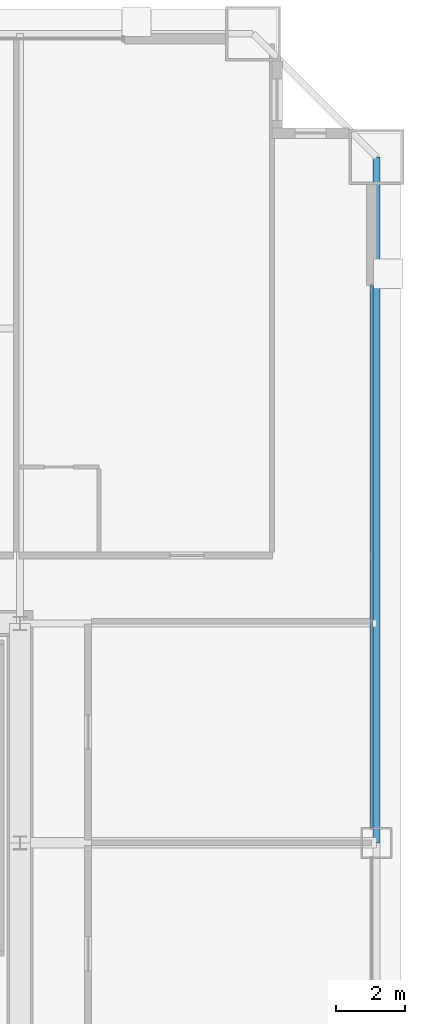
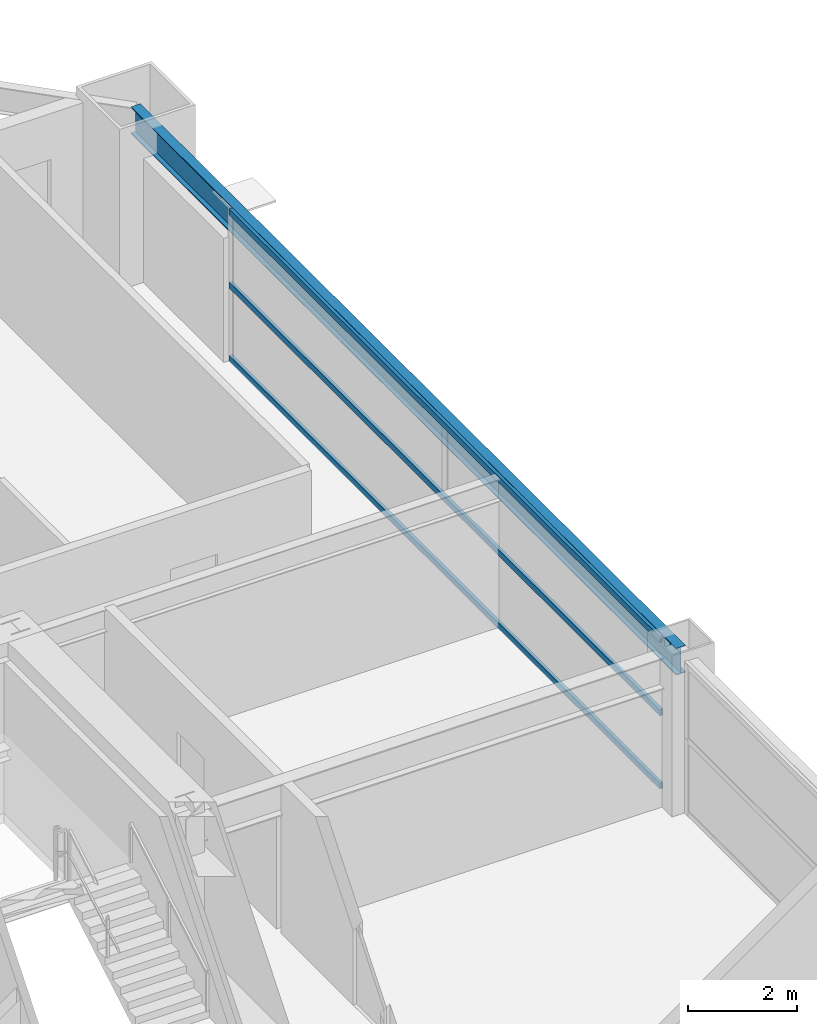
# One storey, part 30 of 39: 3 members, 1 beam, 1 element without a shape of its own.
"""IFC4 building model written with IfcOpenShell, lengths in metres."""

from ifc_helpers import new_model, si_unit, direction, frame, origin, origin_2d, place, context, subcontext, project, spatial, hollow_rectangle, i_section, extrude, source, transform, mapped, material, layer, layer_set, material_profile, profile_set, type_object, element, aggregate, save


model = new_model("IFC4")

# Units and contexts
model_context = context("Model", 3, precision=1e-05, world=origin(), true_north=direction((0.0, 1.0)))
body_context = subcontext(model_context, "Body", "Model", "MODEL_VIEW")
ifc_project = project(units=[si_unit("LENGTHUNIT", "METRE"), si_unit("AREAUNIT", "SQUARE_METRE"), si_unit("VOLUMEUNIT", "CUBIC_METRE"), si_unit("PLANEANGLEUNIT", "RADIAN"), si_unit("MASSUNIT", "GRAM", prefix="KILO"), si_unit("THERMODYNAMICTEMPERATUREUNIT", "KELVIN"), si_unit("POWERUNIT", "WATT")], contexts=[model_context])

# Site, building, storey
site_placement = place(None, origin())
site = spatial("IfcSite", under=ifc_project, at=site_placement, CompositionType="ELEMENT")
building_placement = place(site_placement, origin())
building = spatial("IfcBuilding", under=site, at=building_placement, Name="Yuzanri Waterfront Tower", CompositionType="ELEMENT")
storey_placement = place(building_placement, frame((0.0, 0.0, 156.0)))
storey = spatial("IfcBuildingStorey", under=building, at=storey_placement, Name="L41", CompositionType="ELEMENT", Elevation=156.0)

# Beam
ifc_material_1 = material(Name="Steel Q355B", Category="steel")
ifc_material_profile_1 = material_profile(ifc_material_1, i_section(OverallWidth=0.199951171875, OverallDepth=0.60009765625, WebThickness=0.010986328125, FlangeThickness=0.01708984375, at=origin_2d()), Name="HN 600x200x11x17")
ifc_profile_set_1 = profile_set([ifc_material_profile_1], Name="Steel Q355B")
beam_type = type_object("IfcBeamType", Name="Perimeter Spandrel Q355B HN 600x200", PredefinedType="SPANDREL", material=ifc_profile_set_1)
shared_shape_1 = source(origin(), body_context, "Body", "SweptSolid", [
    extrude(i_section(OverallWidth=0.199951171875, OverallDepth=0.60009765625, WebThickness=0.010986328125, FlangeThickness=0.01708984375, at=origin_2d()), origin(), (0.0, 0.0, 1.0), 20.0),
])
beam_placement = place(storey_placement, frame((60.60009765625, 25.800048828125, 3.080078125), z_axis=(0.0, 1.0, 0.0), x_axis=(-1.0, 0.0, 0.0)))
element("IfcBeam", 1, at=beam_placement, inside=storey, type_object=beam_type, Name="L41 Perimeter Spandrel E2-E3", PredefinedType="SPANDREL", context=body_context, shape_type="MappedRepresentation", body=[
    mapped(shared_shape_1, transform((0.0, 0.0, 0.0), scale=1.0)),
])

# Curtain wall, members
ifc_material_2 = material(Name="Anodized Architectural Bronze", Category="metal")
ifc_layer = layer(ifc_material_2, 0.159912109375)
ifc_layer_set = layer_set([ifc_layer], Name="Anodized Architectural Bronze")
curtain_wall_type = type_object("IfcCurtainWallType", Name="Anodized Bronze Hotel Upper-Tier Solar-Control Unitized Curtain Wall 7800", PredefinedType="NOTDEFINED", material=ifc_layer_set)
curtain_wall_placement = place(storey_placement, origin())
curtain_wall = element("IfcCurtainWall", 2, at=curtain_wall_placement, inside=storey, type_object=curtain_wall_type, Name="L41 Curtain Wall CW-L41-ER", PredefinedType="NOTDEFINED")
ifc_material_3 = material(Name="Anodized Architectural Bronze", Category="metal")
ifc_material_profile_2 = material_profile(ifc_material_3, hollow_rectangle(XDim=0.070068359375, YDim=0.135009765625, WallThickness=0.00341796875, at=origin_2d()), Name="CWT 70x135")
ifc_profile_set_2 = profile_set([ifc_material_profile_2], Name="Anodized Architectural Bronze")
member_type = type_object("IfcMemberType", Name="Anodized Bronze Standard Curtain-Wall Transom 70x135", PredefinedType="USERDEFINED", material=ifc_profile_set_2)
shared_shape_2 = source(origin(), body_context, "Body", "SweptSolid", [
    extrude(hollow_rectangle(XDim=0.070068359375, YDim=0.135009765625, WallThickness=0.00341796875, at=origin_2d()), origin(), (0.0, 0.0, 1.0), 15.800048828125),
])
member_1_placement = place(storey_placement, frame((60.449951171875, 26.25, 0.050048828125), z_axis=(0.0, 1.0, 0.0), x_axis=(-1.0, 0.0, 0.0)))
member_1 = element("IfcMember", 3, at=member_1_placement, type_object=member_type, Name="CW-L41-ER Transom 1", ObjectType="TRANSOM", PredefinedType="USERDEFINED", context=body_context, shape_type="MappedRepresentation", body=[
    mapped(shared_shape_2, transform((0.0, 0.0, 0.0), scale=1.0)),
])
member_2_placement = place(storey_placement, frame((60.449951171875, 26.25, 1.68994140625), z_axis=(0.0, 1.0, 0.0), x_axis=(-1.0, 0.0, 0.0)))
member_2 = element("IfcMember", 4, at=member_2_placement, type_object=member_type, Name="CW-L41-ER Transom 2", ObjectType="TRANSOM", PredefinedType="USERDEFINED", context=body_context, shape_type="MappedRepresentation", body=[
    mapped(shared_shape_2, transform((0.0, 0.0, 0.0), scale=1.0)),
])
member_3_placement = place(storey_placement, frame((60.449951171875, 26.25, 3.330078125), z_axis=(0.0, 1.0, 0.0), x_axis=(-1.0, 0.0, 0.0)))
member_3 = element("IfcMember", 5, at=member_3_placement, type_object=member_type, Name="CW-L41-ER Transom 3", ObjectType="TRANSOM", PredefinedType="USERDEFINED", context=body_context, shape_type="MappedRepresentation", body=[
    mapped(shared_shape_2, transform((0.0, 0.0, 0.0), scale=1.0)),
])
aggregate(curtain_wall, [member_1, member_2, member_3])

save(model, "model.ifc")
